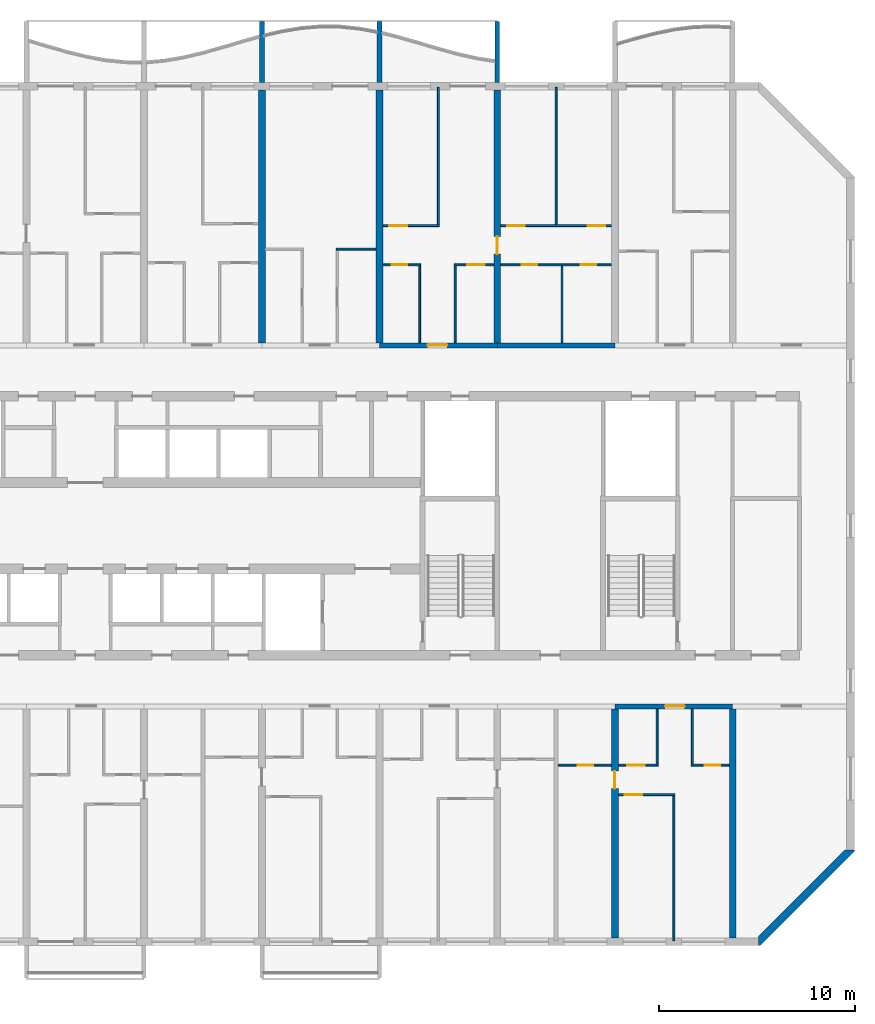
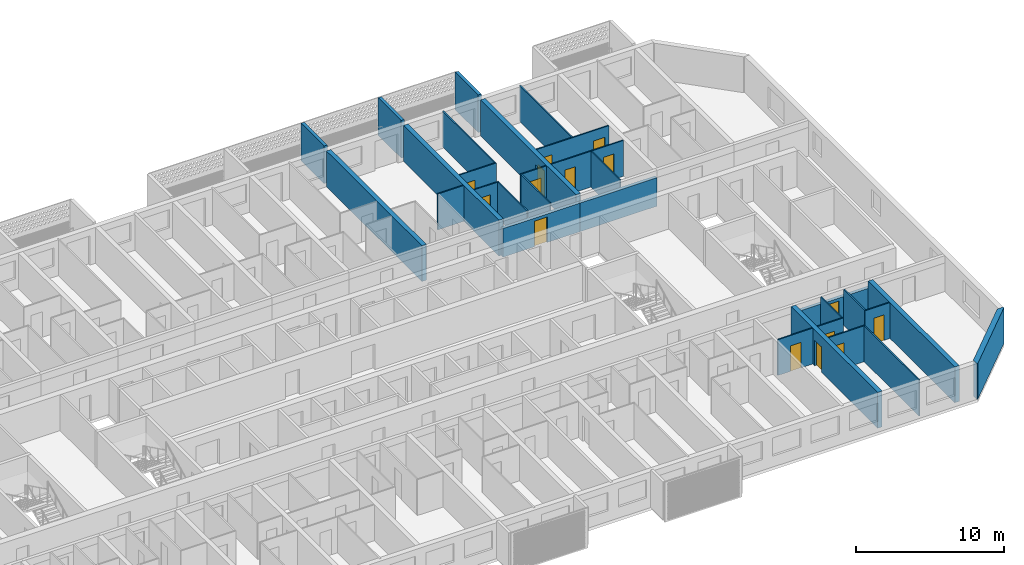
# One storey, part 12 of 24: 30 walls, 15 doors, 15 openings.
"""IFC4 building model written with IfcOpenShell, lengths in metres."""

from ifc_helpers import new_model, si_unit, direction, frame, frame_2d, origin, place, context, subcontext, project, spatial, polyline, rectangle, outline, extrude, source, transform, mapped, material, layer, layer_set, type_object, element, fill, save


model = new_model("IFC4")

# Units and contexts
model_context = context("Model", 3, precision=1e-05, world=origin(), true_north=direction((0.0, 1.0)))
body_context = subcontext(model_context, "Body", "Model", "MODEL_VIEW")
ifc_project = project(units=[si_unit("LENGTHUNIT", "METRE"), si_unit("AREAUNIT", "SQUARE_METRE"), si_unit("VOLUMEUNIT", "CUBIC_METRE"), si_unit("PLANEANGLEUNIT", "RADIAN"), si_unit("MASSUNIT", "GRAM", prefix="KILO")], contexts=[model_context])

# Site, building, storey
site_placement = place(None, origin())
site = spatial("IfcSite", under=ifc_project, at=site_placement, CompositionType="ELEMENT")
building_placement = place(site_placement, origin())
building = spatial("IfcBuilding", under=site, at=building_placement, Name="Poui Terraces", CompositionType="ELEMENT")
storey_placement = place(building_placement, frame((0.0, 0.0, 112.5)))
storey = spatial("IfcBuildingStorey", under=building, at=storey_placement, Name="L31", CompositionType="ELEMENT", Elevation=112.5)

# Wall, opening, door
ifc_material_1 = material(Name="Concrete 65 MPa", Category="concrete")
ifc_layer_1 = layer(ifc_material_1, 0.25)
ifc_layer_set_1 = layer_set([ifc_layer_1], Name="Concrete 65 MPa")
wall_type_1 = type_object("IfcWallType", Name="CORRIDOR WALL 250 65MPa", PredefinedType="SHEAR", material=ifc_layer_set_1)
wall_1_placement = place(storey_placement, frame((78.0, 12.0, 0.0), z_axis=(0.0, 0.0, 1.0), x_axis=(1.0, 0.0, 0.0)))
wall_1 = element("IfcWall", 1, at=wall_1_placement, inside=storey, type_object=wall_type_1, Name="CORRIDOR WALL LINE B BAY 12", PredefinedType="SHEAR", context=body_context, shape_type="SweptSolid", body=[
    extrude(rectangle(XDim=6.0, YDim=0.25, at=frame_2d((3.0, 0.0))), origin(), (0.0, 0.0, 1.0), 2.35009765625),
])
opening_1_placement = place(wall_1_placement, frame((2.550048828125, 0.0, 0.0)))
opening_1 = element("IfcOpeningElement", 2, at=opening_1_placement, cuts=wall_1, Name="Opening FD30S", PredefinedType="OPENING", context=body_context, shape_type="SweptSolid", body=[
    extrude(rectangle(XDim=1.0, YDim=2.10009765625, at=frame_2d((0.5, 1.050048828125))), frame((0.0, 0.135009765625, 0.0), z_axis=(0.0, -1.0, 0.0), x_axis=(1.0, 0.0, 0.0)), (0.0, 0.0, 1.0), 0.27001953125),
])
ifc_material_2 = material(Name="Steel fire door", Category="steel")
door_type_1 = type_object("IfcDoorType", Name="FLAT ENTRANCE DOOR 1000 X 2100", OperationType="NOTDEFINED", PredefinedType="DOOR", material=ifc_material_2)
door_1_placement = place(opening_1_placement, frame((1.0, 0.0, 0.0), z_axis=(0.0, 0.0, 1.0), x_axis=(-1.0, 0.0, 0.0)))
door_1 = element("IfcDoor", 3, at=door_1_placement, inside=storey, type_object=door_type_1, Name="FLAT ENTRANCE DOOR 117", OperationType="SINGLE_SWING_LEFT", OverallHeight=2.10009765625, OverallWidth=1.0, PredefinedType="DOOR", context=body_context, shape_type="SweptSolid", body=[
    extrude(rectangle(XDim=1.0, YDim=2.10009765625, at=frame_2d((0.5, 1.050048828125))), frame((0.0, 0.02490234375, 0.0), z_axis=(0.0, -1.0, 0.0), x_axis=(1.0, 0.0, 0.0)), (0.0, 0.0, 1.0), 0.050048828125),
])
fill(opening_1, door_1)

wall_2_placement = place(storey_placement, frame((66.0, 30.39990234375, 0.0), z_axis=(0.0, 0.0, 1.0), x_axis=(1.0, 0.0, 0.0)))
wall_2 = element("IfcWall", 4, at=wall_2_placement, inside=storey, type_object=wall_type_1, Name="CORRIDOR WALL LINE E BAY 10", PredefinedType="SHEAR", context=body_context, shape_type="SweptSolid", body=[
    extrude(rectangle(XDim=6.0, YDim=0.25, at=frame_2d((3.0, 0.0))), origin(), (0.0, 0.0, 1.0), 2.35009765625),
])
opening_2_placement = place(wall_2_placement, frame((2.449951171875, 0.0, 0.0)))
opening_2 = element("IfcOpeningElement", 5, at=opening_2_placement, cuts=wall_2, Name="Opening FD30S", PredefinedType="OPENING", context=body_context, shape_type="SweptSolid", body=[
    extrude(rectangle(XDim=1.0, YDim=2.10009765625, at=frame_2d((0.5, 1.050048828125))), frame((0.0, 0.135009765625, 0.0), z_axis=(0.0, -1.0, 0.0), x_axis=(1.0, 0.0, 0.0)), (0.0, 0.0, 1.0), 0.27001953125),
])
door_2_placement = place(opening_2_placement, origin())
door_2 = element("IfcDoor", 6, at=door_2_placement, inside=storey, type_object=door_type_1, Name="FLAT ENTRANCE DOOR 067", OperationType="SINGLE_SWING_LEFT", OverallHeight=2.10009765625, OverallWidth=1.0, PredefinedType="DOOR", context=body_context, shape_type="SweptSolid", body=[
    extrude(rectangle(XDim=1.0, YDim=2.10009765625, at=frame_2d((0.5, 1.050048828125))), frame((0.0, 0.02490234375, 0.0), z_axis=(0.0, -1.0, 0.0), x_axis=(1.0, 0.0, 0.0)), (0.0, 0.0, 1.0), 0.050048828125),
])
fill(opening_2, door_2)

# Walls
wall_3_placement = place(storey_placement, frame((72.0, 30.39990234375, 0.0), z_axis=(0.0, 0.0, 1.0), x_axis=(1.0, 0.0, 0.0)))
element("IfcWall", 7, at=wall_3_placement, inside=storey, type_object=wall_type_1, Name="CORRIDOR WALL LINE E BAY 11", PredefinedType="SHEAR", context=body_context, shape_type="SweptSolid", body=[
    extrude(rectangle(XDim=6.0, YDim=0.25, at=frame_2d((3.0, 0.0))), origin(), (0.0, 0.0, 1.0), 2.35009765625),
])
ifc_layer_2 = layer(ifc_material_1, 0.35009765625)
ifc_layer_set_2 = layer_set([ifc_layer_2], Name="Concrete 65 MPa")
wall_type_2 = type_object("IfcWallType", Name="CROSS WALL 350 65MPa", PredefinedType="SHEAR", material=ifc_layer_set_2)
for number, where, z_axis, x_axis, name in (
    (8, (60.0, 30.52490234375, 0.0), (0.0, 0.0, 1.0), (0.0, 1.0, 0.0), "CROSS WALL LINE 11 NORTH"),
    (9, (66.0, 30.52490234375, 0.0), (0.0, 0.0, 1.0), (0.0, 1.0, 0.0), "CROSS WALL LINE 12 NORTH"),
):
    element("IfcWall", number, at=place(storey_placement, frame(where, z_axis=z_axis, x_axis=x_axis)), inside=storey, type_object=wall_type_2, Name=name, PredefinedType="SHEAR", context=body_context, shape_type="SweptSolid", body=[
        extrude(rectangle(XDim=12.875, YDim=0.35009765625, at=frame_2d((6.4375, 0.0))), origin(), (0.0, 0.0, 1.0), 2.949951171875),
    ])

# Wall, opening, door
wall_4_placement = place(storey_placement, frame((72.0, 30.52490234375, 0.0), z_axis=(0.0, 0.0, 1.0), x_axis=(0.0, 1.0, 0.0)))
wall_4 = element("IfcWall", 10, at=wall_4_placement, inside=storey, type_object=wall_type_2, Name="CROSS WALL LINE 13 NORTH", PredefinedType="SHEAR", context=body_context, shape_type="SweptSolid", body=[
    extrude(rectangle(XDim=12.875, YDim=0.35009765625, at=frame_2d((6.4375, 0.0))), origin(), (0.0, 0.0, 1.0), 2.949951171875),
])
opening_3_placement = place(wall_4_placement, frame((4.52490234375, 0.0, 0.0)))
opening_3 = element("IfcOpeningElement", 11, at=opening_3_placement, cuts=wall_4, Name="Opening D90", PredefinedType="OPENING", context=body_context, shape_type="SweptSolid", body=[
    extrude(rectangle(XDim=0.89990234375, YDim=2.10009765625, at=frame_2d((0.449951171875, 1.050048828125))), frame((0.0, 0.18505859375, 0.0), z_axis=(0.0, -1.0, 0.0), x_axis=(1.0, 0.0, 0.0)), (0.0, 0.0, 1.0), 0.3701171875),
])
ifc_material_3 = material(Name="Solid core timber door", Category="wood")
door_type_2 = type_object("IfcDoorType", Name="INTERNAL DOOR 900 X 2100", OperationType="NOTDEFINED", PredefinedType="DOOR", material=ifc_material_3)
door_3_placement = place(opening_3_placement, origin())
door_3 = element("IfcDoor", 12, at=door_3_placement, inside=storey, type_object=door_type_2, Name="INTERNAL DOOR 069", OperationType="SINGLE_SWING_LEFT", OverallHeight=2.10009765625, OverallWidth=0.89990234375, PredefinedType="DOOR", context=body_context, shape_type="SweptSolid", body=[
    extrude(rectangle(XDim=0.89990234375, YDim=2.10009765625, at=frame_2d((0.449951171875, 1.050048828125))), frame((0.0, 0.02490234375, 0.0), z_axis=(0.0, -1.0, 0.0), x_axis=(1.0, 0.0, 0.0)), (0.0, 0.0, 1.0), 0.050048828125),
])
fill(opening_3, door_3)

wall_5_placement = place(storey_placement, frame((78.0, 0.199951171875, 0.0), z_axis=(0.0, 0.0, 1.0), x_axis=(0.0, 1.0, 0.0)))
wall_5 = element("IfcWall", 13, at=wall_5_placement, inside=storey, type_object=wall_type_2, Name="CROSS WALL LINE 14 SOUTH", PredefinedType="SHEAR", context=body_context, shape_type="SweptSolid", body=[
    extrude(rectangle(XDim=11.675048828125, YDim=0.35009765625, at=frame_2d((5.83740234375, 0.0))), origin(), (0.0, 0.0, 1.0), 2.949951171875),
])
opening_4_placement = place(wall_5_placement, frame((7.60009765625, 0.0, 0.0)))
opening_4 = element("IfcOpeningElement", 14, at=opening_4_placement, cuts=wall_5, Name="Opening D90", PredefinedType="OPENING", context=body_context, shape_type="SweptSolid", body=[
    extrude(rectangle(XDim=0.89990234375, YDim=2.10009765625, at=frame_2d((0.449951171875, 1.050048828125))), frame((0.0, 0.18505859375, 0.0), z_axis=(0.0, -1.0, 0.0), x_axis=(1.0, 0.0, 0.0)), (0.0, 0.0, 1.0), 0.3701171875),
])
door_4_placement = place(opening_4_placement, origin())
door_4 = element("IfcDoor", 15, at=door_4_placement, inside=storey, type_object=door_type_2, Name="INTERNAL DOOR 114", OperationType="SINGLE_SWING_RIGHT", OverallHeight=2.10009765625, OverallWidth=0.89990234375, PredefinedType="DOOR", context=body_context, shape_type="SweptSolid", body=[
    extrude(rectangle(XDim=0.89990234375, YDim=2.10009765625, at=frame_2d((0.449951171875, 1.050048828125))), frame((0.0, 0.02490234375, 0.0), z_axis=(0.0, -1.0, 0.0), x_axis=(1.0, 0.0, 0.0)), (0.0, 0.0, 1.0), 0.050048828125),
])
fill(opening_4, door_4)

# Wall
wall_6_placement = place(storey_placement, frame((84.0, 0.199951171875, 0.0), z_axis=(0.0, 0.0, 1.0), x_axis=(0.0, 1.0, 0.0)))
element("IfcWall", 16, at=wall_6_placement, inside=storey, type_object=wall_type_2, Name="CROSS WALL LINE 15 SOUTH", PredefinedType="SHEAR", context=body_context, shape_type="SweptSolid", body=[
    extrude(rectangle(XDim=11.675048828125, YDim=0.35009765625, at=frame_2d((5.83740234375, 0.0))), origin(), (0.0, 0.0, 1.0), 2.949951171875),
])

# Wall, opening, door
ifc_material_4 = material(Name="Plasterboard partition")
ifc_layer_3 = layer(ifc_material_4, 0.10009765625)
ifc_layer_set_3 = layer_set([ifc_layer_3], Name="Plasterboard partition")
wall_type_3 = type_object("IfcWallType", Name="FLAT PARTITION 100", PredefinedType="PARTITIONING", material=ifc_layer_set_3)
wall_7_placement = place(storey_placement, frame((78.18505859375, 7.5, 0.0), z_axis=(0.0, 0.0, 1.0), x_axis=(1.0, 0.0, 0.0)))
wall_7 = element("IfcWall", 17, at=wall_7_placement, inside=storey, type_object=wall_type_3, Name="FLAT PARTITION 100", PredefinedType="PARTITIONING", context=body_context, shape_type="SweptSolid", body=[
    extrude(rectangle(XDim=2.864990234375, YDim=0.10009765625, at=frame_2d((1.4326171875, 0.0))), origin(), (0.0, 0.0, 1.0), 2.949951171875),
])
opening_5_placement = place(wall_7_placement, frame((0.31494140625, 0.0, 0.0)))
opening_5 = element("IfcOpeningElement", 18, at=opening_5_placement, cuts=wall_7, Name="Opening D90", PredefinedType="OPENING", context=body_context, shape_type="SweptSolid", body=[
    extrude(rectangle(XDim=0.89990234375, YDim=2.10009765625, at=frame_2d((0.449951171875, 1.050048828125))), frame((0.0, 0.06005859375, 0.0), z_axis=(0.0, -1.0, 0.0), x_axis=(1.0, 0.0, 0.0)), (0.0, 0.0, 1.0), 0.1201171875),
])
door_5_placement = place(opening_5_placement, origin())
door_5 = element("IfcDoor", 19, at=door_5_placement, inside=storey, type_object=door_type_2, Name="INTERNAL DOOR 115", OperationType="SINGLE_SWING_RIGHT", OverallHeight=2.10009765625, OverallWidth=0.89990234375, PredefinedType="DOOR", context=body_context, shape_type="SweptSolid", body=[
    extrude(rectangle(XDim=0.89990234375, YDim=2.10009765625, at=frame_2d((0.449951171875, 1.050048828125))), frame((0.0, 0.02490234375, 0.0), z_axis=(0.0, -1.0, 0.0), x_axis=(1.0, 0.0, 0.0)), (0.0, 0.0, 1.0), 0.050048828125),
])
fill(opening_5, door_5)

wall_8_placement = place(storey_placement, frame((75.10009765625, 9.0, 0.0), z_axis=(0.0, 0.0, 1.0), x_axis=(1.0, 0.0, 0.0)))
wall_8 = element("IfcWall", 20, at=wall_8_placement, inside=storey, type_object=wall_type_3, Name="FLAT PARTITION 100", PredefinedType="PARTITIONING", context=body_context, shape_type="SweptSolid", body=[
    extrude(rectangle(XDim=2.71484375, YDim=0.10009765625, at=frame_2d((1.357421875, 0.0))), origin(), (0.0, 0.0, 1.0), 2.949951171875),
])
opening_6_placement = place(wall_8_placement, frame((1.0, 0.0, 0.0)))
opening_6 = element("IfcOpeningElement", 21, at=opening_6_placement, cuts=wall_8, Name="Opening D80", PredefinedType="OPENING", context=body_context, shape_type="SweptSolid", body=[
    extrude(rectangle(XDim=0.800048828125, YDim=2.10009765625, at=frame_2d((0.39990234375, 1.050048828125))), frame((0.0, 0.06005859375, 0.0), z_axis=(0.0, -1.0, 0.0), x_axis=(1.0, 0.0, 0.0)), (0.0, 0.0, 1.0), 0.1201171875),
])
door_type_3 = type_object("IfcDoorType", Name="BATHROOM, LAUNDRY AND STORE DOOR 800 X 2100", OperationType="NOTDEFINED", PredefinedType="DOOR", material=ifc_material_3)
door_6_placement = place(opening_6_placement, origin())
door_6 = element("IfcDoor", 22, at=door_6_placement, inside=storey, type_object=door_type_3, Name="BATHROOM, LAUNDRY AND STORE DOOR 113", OperationType="SINGLE_SWING_LEFT", OverallHeight=2.10009765625, OverallWidth=0.800048828125, PredefinedType="DOOR", context=body_context, shape_type="SweptSolid", body=[
    extrude(rectangle(XDim=0.800048828125, YDim=2.10009765625, at=frame_2d((0.39990234375, 1.050048828125))), frame((0.0, 0.02490234375, 0.0), z_axis=(0.0, -1.0, 0.0), x_axis=(1.0, 0.0, 0.0)), (0.0, 0.0, 1.0), 0.050048828125),
])
fill(opening_6, door_6)

wall_9_placement = place(storey_placement, frame((78.18505859375, 9.0, 0.0), z_axis=(0.0, 0.0, 1.0), x_axis=(1.0, 0.0, 0.0)))
wall_9 = element("IfcWall", 23, at=wall_9_placement, inside=storey, type_object=wall_type_3, Name="FLAT PARTITION 100", PredefinedType="PARTITIONING", context=body_context, shape_type="SweptSolid", body=[
    extrude(rectangle(XDim=2.014892578125, YDim=0.10009765625, at=frame_2d((1.00732421875, 0.0))), origin(), (0.0, 0.0, 1.0), 2.949951171875),
])
opening_7_placement = place(wall_9_placement, frame((0.43994140625, 0.0, 0.0)))
opening_7 = element("IfcOpeningElement", 24, at=opening_7_placement, cuts=wall_9, Name="Opening D90", PredefinedType="OPENING", context=body_context, shape_type="SweptSolid", body=[
    extrude(rectangle(XDim=0.89990234375, YDim=2.10009765625, at=frame_2d((0.449951171875, 1.050048828125))), frame((0.0, 0.06005859375, 0.0), z_axis=(0.0, -1.0, 0.0), x_axis=(1.0, 0.0, 0.0)), (0.0, 0.0, 1.0), 0.1201171875),
])
door_7_placement = place(opening_7_placement, origin())
door_7 = element("IfcDoor", 25, at=door_7_placement, inside=storey, type_object=door_type_2, Name="INTERNAL DOOR 116", OperationType="SINGLE_SWING_LEFT", OverallHeight=2.10009765625, OverallWidth=0.89990234375, PredefinedType="DOOR", context=body_context, shape_type="SweptSolid", body=[
    extrude(rectangle(XDim=0.89990234375, YDim=2.10009765625, at=frame_2d((0.449951171875, 1.050048828125))), frame((0.0, 0.02490234375, 0.0), z_axis=(0.0, -1.0, 0.0), x_axis=(1.0, 0.0, 0.0)), (0.0, 0.0, 1.0), 0.050048828125),
])
fill(opening_7, door_7)

wall_10_placement = place(storey_placement, frame((81.89990234375, 9.0, 0.0), z_axis=(0.0, 0.0, 1.0), x_axis=(1.0, 0.0, 0.0)))
wall_10 = element("IfcWall", 26, at=wall_10_placement, inside=storey, type_object=wall_type_3, Name="FLAT PARTITION 100", PredefinedType="PARTITIONING", context=body_context, shape_type="SweptSolid", body=[
    extrude(rectangle(XDim=1.9150390625, YDim=0.10009765625, at=frame_2d((0.95751953125, 0.0))), origin(), (0.0, 0.0, 1.0), 2.949951171875),
])
opening_8_placement = place(wall_10_placement, frame((0.675048828125, 0.0, 0.0)))
opening_8 = element("IfcOpeningElement", 27, at=opening_8_placement, cuts=wall_10, Name="Opening D80", PredefinedType="OPENING", context=body_context, shape_type="SweptSolid", body=[
    extrude(rectangle(XDim=0.800048828125, YDim=2.10009765625, at=frame_2d((0.39990234375, 1.050048828125))), frame((0.0, 0.06005859375, 0.0), z_axis=(0.0, -1.0, 0.0), x_axis=(1.0, 0.0, 0.0)), (0.0, 0.0, 1.0), 0.1201171875),
])
door_8_placement = place(opening_8_placement, origin())
door_8 = element("IfcDoor", 28, at=door_8_placement, inside=storey, type_object=door_type_3, Name="BATHROOM, LAUNDRY AND STORE DOOR 118", OperationType="SINGLE_SWING_RIGHT", OverallHeight=2.10009765625, OverallWidth=0.800048828125, PredefinedType="DOOR", context=body_context, shape_type="SweptSolid", body=[
    extrude(rectangle(XDim=0.800048828125, YDim=2.10009765625, at=frame_2d((0.39990234375, 1.050048828125))), frame((0.0, 0.02490234375, 0.0), z_axis=(0.0, -1.0, 0.0), x_axis=(1.0, 0.0, 0.0)), (0.0, 0.0, 1.0), 0.050048828125),
])
fill(opening_8, door_8)

wall_11_placement = place(storey_placement, frame((66.18505859375, 34.5, 0.0), z_axis=(0.0, 0.0, 1.0), x_axis=(1.0, 0.0, 0.0)))
wall_11 = element("IfcWall", 29, at=wall_11_placement, inside=storey, type_object=wall_type_3, Name="FLAT PARTITION 100", PredefinedType="PARTITIONING", context=body_context, shape_type="SweptSolid", body=[
    extrude(rectangle(XDim=1.9150390625, YDim=0.10009765625, at=frame_2d((0.95751953125, 0.0))), origin(), (0.0, 0.0, 1.0), 2.949951171875),
])
opening_9_placement = place(wall_11_placement, frame((0.43994140625, 0.0, 0.0)))
opening_9 = element("IfcOpeningElement", 30, at=opening_9_placement, cuts=wall_11, Name="Opening D80", PredefinedType="OPENING", context=body_context, shape_type="SweptSolid", body=[
    extrude(rectangle(XDim=0.800048828125, YDim=2.10009765625, at=frame_2d((0.39990234375, 1.050048828125))), frame((0.0, 0.06005859375, 0.0), z_axis=(0.0, -1.0, 0.0), x_axis=(1.0, 0.0, 0.0)), (0.0, 0.0, 1.0), 0.1201171875),
])
door_9_placement = place(opening_9_placement, frame((0.800048828125, 0.0, 0.0), z_axis=(0.0, 0.0, 1.0), x_axis=(-1.0, 0.0, 0.0)))
door_9 = element("IfcDoor", 31, at=door_9_placement, inside=storey, type_object=door_type_3, Name="BATHROOM, LAUNDRY AND STORE DOOR 066", OperationType="SINGLE_SWING_RIGHT", OverallHeight=2.10009765625, OverallWidth=0.800048828125, PredefinedType="DOOR", context=body_context, shape_type="SweptSolid", body=[
    extrude(rectangle(XDim=0.800048828125, YDim=2.10009765625, at=frame_2d((0.39990234375, 1.050048828125))), frame((0.0, 0.02490234375, 0.0), z_axis=(0.0, -1.0, 0.0), x_axis=(1.0, 0.0, 0.0)), (0.0, 0.0, 1.0), 0.050048828125),
])
fill(opening_9, door_9)

wall_12_placement = place(storey_placement, frame((69.800048828125, 34.5, 0.0), z_axis=(0.0, 0.0, 1.0), x_axis=(1.0, 0.0, 0.0)))
wall_12 = element("IfcWall", 32, at=wall_12_placement, inside=storey, type_object=wall_type_3, Name="FLAT PARTITION 100", PredefinedType="PARTITIONING", context=body_context, shape_type="SweptSolid", body=[
    extrude(rectangle(XDim=2.014892578125, YDim=0.10009765625, at=frame_2d((1.00732421875, 0.0))), origin(), (0.0, 0.0, 1.0), 2.949951171875),
])
opening_10_placement = place(wall_12_placement, frame((0.675048828125, 0.0, 0.0)))
opening_10 = element("IfcOpeningElement", 33, at=opening_10_placement, cuts=wall_12, Name="Opening D90", PredefinedType="OPENING", context=body_context, shape_type="SweptSolid", body=[
    extrude(rectangle(XDim=0.89990234375, YDim=2.10009765625, at=frame_2d((0.449951171875, 1.050048828125))), frame((0.0, 0.06005859375, 0.0), z_axis=(0.0, -1.0, 0.0), x_axis=(1.0, 0.0, 0.0)), (0.0, 0.0, 1.0), 0.1201171875),
])
door_10_placement = place(opening_10_placement, frame((0.89990234375, 0.0, 0.0), z_axis=(0.0, 0.0, 1.0), x_axis=(-1.0, 0.0, 0.0)))
door_10 = element("IfcDoor", 34, at=door_10_placement, inside=storey, type_object=door_type_2, Name="INTERNAL DOOR 068", OperationType="SINGLE_SWING_LEFT", OverallHeight=2.10009765625, OverallWidth=0.89990234375, PredefinedType="DOOR", context=body_context, shape_type="SweptSolid", body=[
    extrude(rectangle(XDim=0.89990234375, YDim=2.10009765625, at=frame_2d((0.449951171875, 1.050048828125))), frame((0.0, 0.02490234375, 0.0), z_axis=(0.0, -1.0, 0.0), x_axis=(1.0, 0.0, 0.0)), (0.0, 0.0, 1.0), 0.050048828125),
])
fill(opening_10, door_10)

# Wall, openings, doors
wall_13_placement = place(storey_placement, frame((72.18505859375, 34.5, 0.0), z_axis=(0.0, 0.0, 1.0), x_axis=(1.0, 0.0, 0.0)))
wall_13 = element("IfcWall", 35, at=wall_13_placement, inside=storey, type_object=wall_type_3, Name="FLAT PARTITION 100", PredefinedType="PARTITIONING", context=body_context, shape_type="SweptSolid", body=[
    extrude(rectangle(XDim=5.6298828125, YDim=0.10009765625, at=frame_2d((2.81494140625, 0.0))), origin(), (0.0, 0.0, 1.0), 2.949951171875),
])
opening_11_placement = place(wall_13_placement, frame((1.06494140625, 0.0, 0.0)))
opening_11 = element("IfcOpeningElement", 36, at=opening_11_placement, cuts=wall_13, Name="Opening D80", PredefinedType="OPENING", context=body_context, shape_type="SweptSolid", body=[
    extrude(rectangle(XDim=0.800048828125, YDim=2.10009765625, at=frame_2d((0.39990234375, 1.050048828125))), frame((0.0, 0.06005859375, 0.0), z_axis=(0.0, -1.0, 0.0), x_axis=(1.0, 0.0, 0.0)), (0.0, 0.0, 1.0), 0.1201171875),
])
opening_12_placement = place(wall_13_placement, frame((4.06494140625, 0.0, 0.0)))
opening_12 = element("IfcOpeningElement", 37, at=opening_12_placement, cuts=wall_13, Name="Opening D80", PredefinedType="OPENING", context=body_context, shape_type="SweptSolid", body=[
    extrude(rectangle(XDim=0.800048828125, YDim=2.10009765625, at=frame_2d((0.39990234375, 1.050048828125))), frame((0.0, 0.06005859375, 0.0), z_axis=(0.0, -1.0, 0.0), x_axis=(1.0, 0.0, 0.0)), (0.0, 0.0, 1.0), 0.1201171875),
])
door_11_placement = place(opening_11_placement, frame((0.800048828125, 0.0, 0.0), z_axis=(0.0, 0.0, 1.0), x_axis=(-1.0, 0.0, 0.0)))
door_11 = element("IfcDoor", 38, at=door_11_placement, inside=storey, type_object=door_type_3, Name="BATHROOM, LAUNDRY AND STORE DOOR 062", OperationType="SINGLE_SWING_RIGHT", OverallHeight=2.10009765625, OverallWidth=0.800048828125, PredefinedType="DOOR", context=body_context, shape_type="SweptSolid", body=[
    extrude(rectangle(XDim=0.800048828125, YDim=2.10009765625, at=frame_2d((0.39990234375, 1.050048828125))), frame((0.0, 0.02490234375, 0.0), z_axis=(0.0, -1.0, 0.0), x_axis=(1.0, 0.0, 0.0)), (0.0, 0.0, 1.0), 0.050048828125),
])
fill(opening_11, door_11)
door_12_placement = place(opening_12_placement, frame((0.800048828125, 0.0, 0.0), z_axis=(0.0, 0.0, 1.0), x_axis=(-1.0, 0.0, 0.0)))
door_12 = element("IfcDoor", 39, at=door_12_placement, inside=storey, type_object=door_type_3, Name="BATHROOM, LAUNDRY AND STORE DOOR 063", OperationType="SINGLE_SWING_LEFT", OverallHeight=2.10009765625, OverallWidth=0.800048828125, PredefinedType="DOOR", context=body_context, shape_type="SweptSolid", body=[
    extrude(rectangle(XDim=0.800048828125, YDim=2.10009765625, at=frame_2d((0.39990234375, 1.050048828125))), frame((0.0, 0.02490234375, 0.0), z_axis=(0.0, -1.0, 0.0), x_axis=(1.0, 0.0, 0.0)), (0.0, 0.0, 1.0), 0.050048828125),
])
fill(opening_12, door_12)

# Wall
wall_14_placement = place(storey_placement, frame((63.800048828125, 35.300048828125, 0.0), z_axis=(0.0, 0.0, 1.0), x_axis=(1.0, 0.0, 0.0)))
element("IfcWall", 40, at=wall_14_placement, inside=storey, type_object=wall_type_3, Name="FLAT PARTITION 100", PredefinedType="PARTITIONING", context=body_context, shape_type="SweptSolid", body=[
    extrude(rectangle(XDim=2.014892578125, YDim=0.10009765625, at=frame_2d((1.00732421875, 0.0))), origin(), (0.0, 0.0, 1.0), 2.949951171875),
])

# Wall, opening, door
wall_15_placement = place(storey_placement, frame((66.18505859375, 36.5, 0.0), z_axis=(0.0, 0.0, 1.0), x_axis=(1.0, 0.0, 0.0)))
wall_15 = element("IfcWall", 41, at=wall_15_placement, inside=storey, type_object=wall_type_3, Name="FLAT PARTITION 100", PredefinedType="PARTITIONING", context=body_context, shape_type="SweptSolid", body=[
    extrude(rectangle(XDim=2.864990234375, YDim=0.10009765625, at=frame_2d((1.4326171875, 0.0))), origin(), (0.0, 0.0, 1.0), 2.949951171875),
])
opening_13_placement = place(wall_15_placement, frame((0.31494140625, 0.0, 0.0)))
opening_13 = element("IfcOpeningElement", 42, at=opening_13_placement, cuts=wall_15, Name="Opening D90", PredefinedType="OPENING", context=body_context, shape_type="SweptSolid", body=[
    extrude(rectangle(XDim=0.89990234375, YDim=2.10009765625, at=frame_2d((0.449951171875, 1.050048828125))), frame((0.0, 0.06005859375, 0.0), z_axis=(0.0, -1.0, 0.0), x_axis=(1.0, 0.0, 0.0)), (0.0, 0.0, 1.0), 0.1201171875),
])
door_13_placement = place(opening_13_placement, frame((0.89990234375, 0.0, 0.0), z_axis=(0.0, 0.0, 1.0), x_axis=(-1.0, 0.0, 0.0)))
door_13 = element("IfcDoor", 43, at=door_13_placement, inside=storey, type_object=door_type_2, Name="INTERNAL DOOR 065", OperationType="SINGLE_SWING_LEFT", OverallHeight=2.10009765625, OverallWidth=0.89990234375, PredefinedType="DOOR", context=body_context, shape_type="SweptSolid", body=[
    extrude(rectangle(XDim=0.89990234375, YDim=2.10009765625, at=frame_2d((0.449951171875, 1.050048828125))), frame((0.0, 0.02490234375, 0.0), z_axis=(0.0, -1.0, 0.0), x_axis=(1.0, 0.0, 0.0)), (0.0, 0.0, 1.0), 0.050048828125),
])
fill(opening_13, door_13)

# Wall, openings, doors
wall_16_placement = place(storey_placement, frame((72.18505859375, 36.5, 0.0), z_axis=(0.0, 0.0, 1.0), x_axis=(1.0, 0.0, 0.0)))
wall_16 = element("IfcWall", 44, at=wall_16_placement, inside=storey, type_object=wall_type_3, Name="FLAT PARTITION 100", PredefinedType="PARTITIONING", context=body_context, shape_type="SweptSolid", body=[
    extrude(rectangle(XDim=5.6298828125, YDim=0.10009765625, at=frame_2d((2.81494140625, 0.0))), origin(), (0.0, 0.0, 1.0), 2.949951171875),
])
opening_14_placement = place(wall_16_placement, frame((0.31494140625, 0.0, 0.0)))
opening_14 = element("IfcOpeningElement", 45, at=opening_14_placement, cuts=wall_16, Name="Opening D90", PredefinedType="OPENING", context=body_context, shape_type="SweptSolid", body=[
    extrude(rectangle(XDim=0.89990234375, YDim=2.10009765625, at=frame_2d((0.449951171875, 1.050048828125))), frame((0.0, 0.06005859375, 0.0), z_axis=(0.0, -1.0, 0.0), x_axis=(1.0, 0.0, 0.0)), (0.0, 0.0, 1.0), 0.1201171875),
])
opening_15_placement = place(wall_16_placement, frame((4.4150390625, 0.0, 0.0)))
opening_15 = element("IfcOpeningElement", 46, at=opening_15_placement, cuts=wall_16, Name="Opening D90", PredefinedType="OPENING", context=body_context, shape_type="SweptSolid", body=[
    extrude(rectangle(XDim=0.89990234375, YDim=2.10009765625, at=frame_2d((0.449951171875, 1.050048828125))), frame((0.0, 0.06005859375, 0.0), z_axis=(0.0, -1.0, 0.0), x_axis=(1.0, 0.0, 0.0)), (0.0, 0.0, 1.0), 0.1201171875),
])
door_14_placement = place(opening_14_placement, origin())
door_14 = element("IfcDoor", 47, at=door_14_placement, inside=storey, type_object=door_type_2, Name="INTERNAL DOOR 061", OperationType="SINGLE_SWING_LEFT", OverallHeight=2.10009765625, OverallWidth=0.89990234375, PredefinedType="DOOR", context=body_context, shape_type="SweptSolid", body=[
    extrude(rectangle(XDim=0.89990234375, YDim=2.10009765625, at=frame_2d((0.449951171875, 1.050048828125))), frame((0.0, 0.02490234375, 0.0), z_axis=(0.0, -1.0, 0.0), x_axis=(1.0, 0.0, 0.0)), (0.0, 0.0, 1.0), 0.050048828125),
])
fill(opening_14, door_14)
door_15_placement = place(opening_15_placement, origin())
door_15 = element("IfcDoor", 48, at=door_15_placement, inside=storey, type_object=door_type_2, Name="INTERNAL DOOR 064", OperationType="SINGLE_SWING_RIGHT", OverallHeight=2.10009765625, OverallWidth=0.89990234375, PredefinedType="DOOR", context=body_context, shape_type="SweptSolid", body=[
    extrude(rectangle(XDim=0.89990234375, YDim=2.10009765625, at=frame_2d((0.449951171875, 1.050048828125))), frame((0.0, 0.02490234375, 0.0), z_axis=(0.0, -1.0, 0.0), x_axis=(1.0, 0.0, 0.0)), (0.0, 0.0, 1.0), 0.050048828125),
])
fill(opening_15, door_15)

# Walls
wall_17_placement = place(storey_placement, frame((68.050048828125, 30.534912109375, 0.0), z_axis=(0.0, 0.0, 1.0), x_axis=(0.0, 1.0, 0.0)))
element("IfcWall", 49, at=wall_17_placement, inside=storey, type_object=wall_type_3, Name="FLAT PARTITION 100", PredefinedType="PARTITIONING", context=body_context, shape_type="SweptSolid", body=[
    extrude(rectangle(XDim=3.9150390625, YDim=0.10009765625, at=frame_2d((1.95751953125, 0.0))), origin(), (0.0, 0.0, 1.0), 2.949951171875),
])
wall_18_placement = place(storey_placement, frame((69.0, 36.550048828125, 0.0), z_axis=(0.0, 0.0, 1.0), x_axis=(0.0, 1.0, 0.0)))
element("IfcWall", 50, at=wall_18_placement, inside=storey, type_object=wall_type_3, Name="FLAT PARTITION 100", PredefinedType="PARTITIONING", context=body_context, shape_type="SweptSolid", body=[
    extrude(rectangle(XDim=6.989990234375, YDim=0.10009765625, at=frame_2d((3.4951171875, 0.0))), origin(), (0.0, 0.0, 1.0), 2.949951171875),
])
wall_19_placement = place(storey_placement, frame((69.85009765625, 30.534912109375, 0.0), z_axis=(0.0, 0.0, 1.0), x_axis=(0.0, 1.0, 0.0)))
element("IfcWall", 51, at=wall_19_placement, inside=storey, type_object=wall_type_3, Name="FLAT PARTITION 100", PredefinedType="PARTITIONING", context=body_context, shape_type="SweptSolid", body=[
    extrude(rectangle(XDim=3.9150390625, YDim=0.10009765625, at=frame_2d((1.95751953125, 0.0))), origin(), (0.0, 0.0, 1.0), 2.949951171875),
])
wall_20_placement = place(storey_placement, frame((75.0, 36.550048828125, 0.0), z_axis=(0.0, 0.0, 1.0), x_axis=(0.0, 1.0, 0.0)))
element("IfcWall", 52, at=wall_20_placement, inside=storey, type_object=wall_type_3, Name="FLAT PARTITION 100", PredefinedType="PARTITIONING", context=body_context, shape_type="SweptSolid", body=[
    extrude(rectangle(XDim=6.989990234375, YDim=0.10009765625, at=frame_2d((3.4951171875, 0.0))), origin(), (0.0, 0.0, 1.0), 2.949951171875),
])
wall_21_placement = place(storey_placement, frame((75.300048828125, 30.534912109375, 0.0), z_axis=(0.0, 0.0, 1.0), x_axis=(0.0, 1.0, 0.0)))
element("IfcWall", 53, at=wall_21_placement, inside=storey, type_object=wall_type_3, Name="FLAT PARTITION 100", PredefinedType="PARTITIONING", context=body_context, shape_type="SweptSolid", body=[
    extrude(rectangle(XDim=3.9150390625, YDim=0.10009765625, at=frame_2d((1.95751953125, 0.0))), origin(), (0.0, 0.0, 1.0), 2.949951171875),
])
wall_22_placement = place(storey_placement, frame((80.14990234375, 9.050048828125, 0.0), z_axis=(0.0, 0.0, 1.0), x_axis=(0.0, 1.0, 0.0)))
element("IfcWall", 54, at=wall_22_placement, inside=storey, type_object=wall_type_3, Name="FLAT PARTITION 100", PredefinedType="PARTITIONING", context=body_context, shape_type="SweptSolid", body=[
    extrude(rectangle(XDim=2.81494140625, YDim=0.10009765625, at=frame_2d((1.407470703125, 0.0))), origin(), (0.0, 0.0, 1.0), 2.949951171875),
])
wall_23_placement = place(storey_placement, frame((81.0, 0.06005859375, 0.0), z_axis=(0.0, 0.0, 1.0), x_axis=(0.0, 1.0, 0.0)))
element("IfcWall", 55, at=wall_23_placement, inside=storey, type_object=wall_type_3, Name="FLAT PARTITION 100", PredefinedType="PARTITIONING", context=body_context, shape_type="SweptSolid", body=[
    extrude(rectangle(XDim=7.389892578125, YDim=0.10009765625, at=frame_2d((3.69482421875, 0.0))), origin(), (0.0, 0.0, 1.0), 2.949951171875),
])
wall_24_placement = place(storey_placement, frame((81.949951171875, 9.050048828125, 0.0), z_axis=(0.0, 0.0, 1.0), x_axis=(0.0, 1.0, 0.0)))
element("IfcWall", 56, at=wall_24_placement, inside=storey, type_object=wall_type_3, Name="FLAT PARTITION 100", PredefinedType="PARTITIONING", context=body_context, shape_type="SweptSolid", body=[
    extrude(rectangle(XDim=2.81494140625, YDim=0.10009765625, at=frame_2d((1.407470703125, 0.0))), origin(), (0.0, 0.0, 1.0), 2.949951171875),
])
ifc_material_5 = material(Name="Precast concrete 40 MPa", Category="concrete")
ifc_layer_4 = layer(ifc_material_5, 0.39990234375)
ifc_layer_set_4 = layer_set([ifc_layer_4], Name="Precast concrete 40 MPa")
wall_type_4 = type_object("IfcWallType", Name="TERRACOTTA CLAD CHAMFER WALL 400", PredefinedType="STANDARD", material=ifc_layer_set_4)
wall_25_placement = place(storey_placement, origin())
element("IfcWall", 57, at=wall_25_placement, inside=storey, type_object=wall_type_4, Name="CHAMFER WALL CH01", PredefinedType="STANDARD", context=body_context, shape_type="SweptSolid", body=[
    extrude(outline(polyline([(85.317138671875, -0.199951171875), (85.39990234375, -0.199951171875), (90.199951171875, 4.60009765625), (90.199951171875, 4.682861328125), (89.71728515625, 4.682861328125), (85.317138671875, 0.28271484375), (85.317138671875, -0.199951171875)])), origin(), (0.0, 0.0, 1.0), 2.949951171875),
])
ifc_layer_5 = layer(ifc_material_5, 0.25)
ifc_layer_set_5 = layer_set([ifc_layer_5], Name="Precast concrete 40 MPa")
wall_type_5 = type_object("IfcWallType", Name="BALCONY FIN 250", PredefinedType="STANDARD", material=ifc_layer_set_5)
shared_shape = source(origin(), body_context, "Body", "SweptSolid", [
    extrude(outline(polyline([(0.0, 0.0), (0.25, 0.0), (0.25, 3.099853515625), (0.0, 3.099853515625), (0.0, 0.0)])), origin(), (0.0, 0.0, 1.0), 3.10009765625),
])
for number, where, name in (
    (58, (59.875, 43.800048828125, 0.0), "BALCONY FIN"),
    (59, (65.875, 43.800048828125, 0.0), "BALCONY FIN"),
    (60, (71.875, 43.800048828125, 0.0), "BALCONY FIN"),
):
    element("IfcWall", number, at=place(storey_placement, frame(where)), inside=storey, type_object=wall_type_5, Name=name, PredefinedType="STANDARD", context=body_context, shape_type="MappedRepresentation", body=[
        mapped(shared_shape, transform((0.0, 0.0, 0.0))),
    ])

save(model, "model.ifc")
